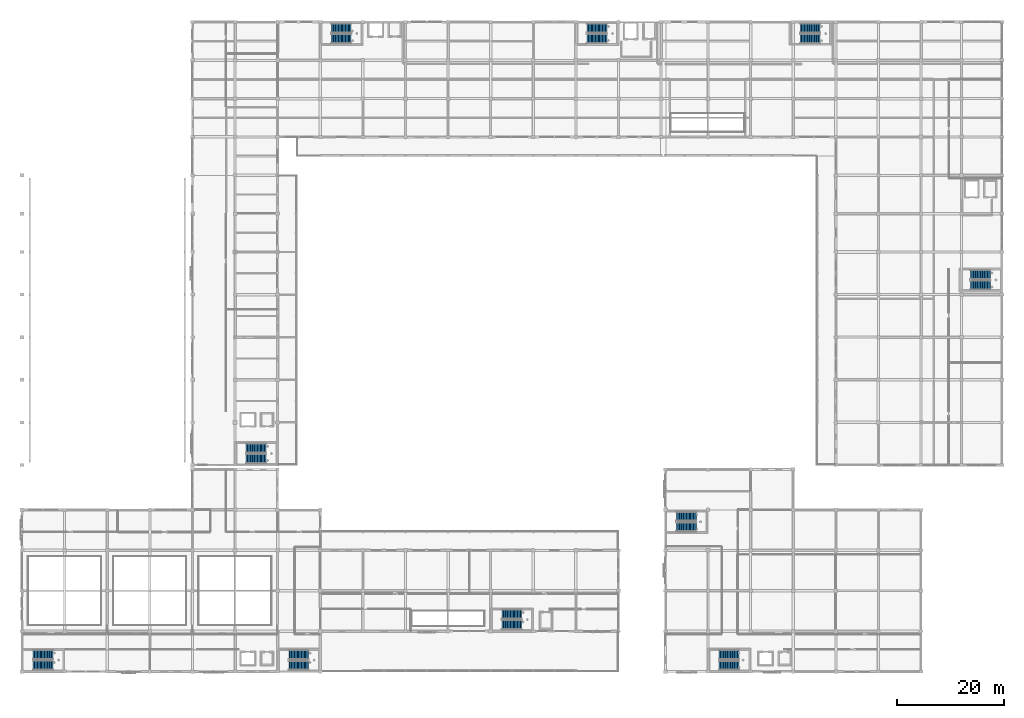
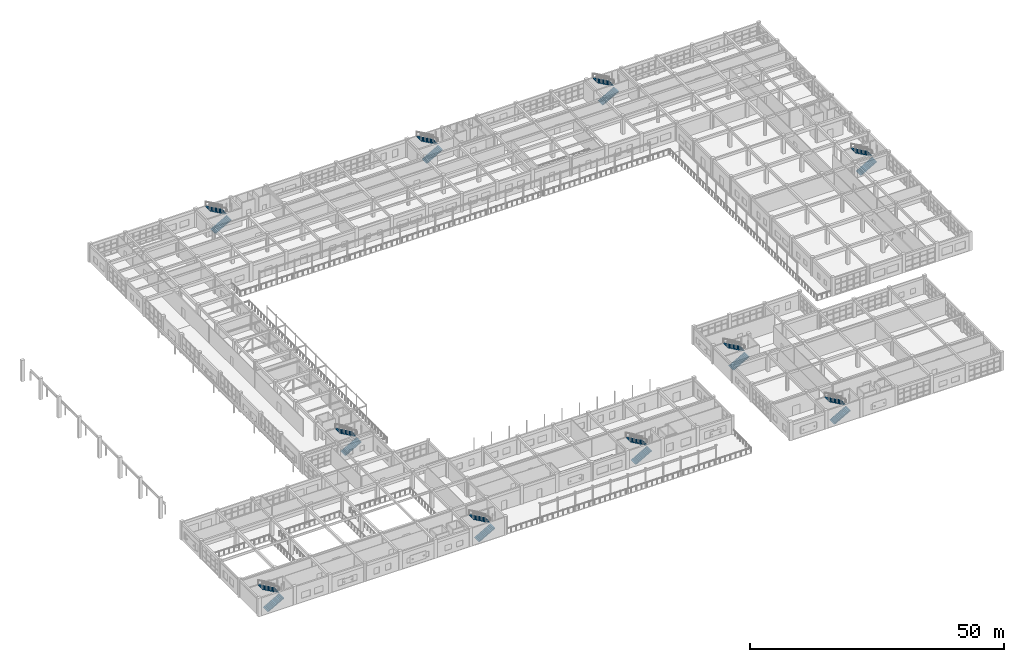
# One storey, part 138 of 160: 20 stair flights, 10 elements without a shape of their own.
"""IFC4 building model written with IfcOpenShell, lengths in metres."""

from ifc_helpers import new_model, si_unit, direction, frame, origin, place, context, subcontext, project, spatial, polyline, outline, extrude, material, type_object, element, aggregate, save


model = new_model("IFC4")

# Units and contexts
model_context = context("Model", 3, precision=1e-05, world=origin(), true_north=direction((0.0, 1.0)))
body_context = subcontext(model_context, "Body", "Model", "MODEL_VIEW")
ifc_project = project(units=[si_unit("LENGTHUNIT", "METRE"), si_unit("AREAUNIT", "SQUARE_METRE"), si_unit("VOLUMEUNIT", "CUBIC_METRE"), si_unit("PLANEANGLEUNIT", "RADIAN"), si_unit("MASSUNIT", "GRAM", prefix="KILO")], contexts=[model_context])

# Site, building, storey
site_placement = place(None, origin())
site = spatial("IfcSite", under=ifc_project, at=site_placement, CompositionType="ELEMENT")
building_placement = place(site_placement, origin())
building = spatial("IfcBuilding", under=site, at=building_placement, Name="Kharva Crest Polytechnic", CompositionType="ELEMENT")
storey_placement = place(building_placement, frame((0.0, 0.0, 4.5)))
storey = spatial("IfcBuildingStorey", under=building, at=storey_placement, Name="L01", CompositionType="ELEMENT", Elevation=4.5)

# Stair, stair flights
ifc_material = material(Name="Concrete C35/45", Category="concrete")
stair_type_1 = type_object("IfcStairType", Name="STR-DOGLEG-1780", PredefinedType="TWO_STRAIGHT_RUN_STAIR", material=ifc_material)
stair_1_placement = place(storey_placement, origin())
stair_1 = element("IfcStair", 1, at=stair_1_placement, inside=storey, type_object=stair_type_1, Name="L01 South-West Lecture Core C1", PredefinedType="TWO_STRAIGHT_RUN_STAIR")
stair_flight_type_1 = type_object("IfcStairFlightType", Name="STF-RC-1780", PredefinedType="STRAIGHT", material=ifc_material)
stair_flight_1_placement = place(storey_placement, frame((50.090087890625, 1.18994140625, 0.0), z_axis=(0.0, 0.0, 1.0), x_axis=(1.0, 0.0, 0.0)))
stair_flight_1 = element("IfcStairFlight", 2, at=stair_flight_1_placement, type_object=stair_flight_type_1, Name="ST-01 flight 1", NumberOfRisers=15, NumberOfTreads=14, PredefinedType="STRAIGHT", RiserHeight=0.15, TreadLength=0.265, context=body_context, shape_type="SweptSolid", body=[
    extrude(outline(polyline([(0.0, 0.0), (0.0, 0.14990234375), (0.264892578125, 0.14990234375), (0.264892578125, 0.300048828125), (0.530029296875, 0.300048828125), (0.530029296875, 0.449951171875), (0.794921875, 0.449951171875), (0.794921875, 0.60009765625), (1.06005859375, 0.60009765625), (1.06005859375, 0.75), (1.324951171875, 0.75), (1.324951171875, 0.89990234375), (1.590087890625, 0.89990234375), (1.590087890625, 1.050048828125), (1.85498046875, 1.050048828125), (1.85498046875, 1.199951171875), (2.1201171875, 1.199951171875), (2.1201171875, 1.35009765625), (2.385009765625, 1.35009765625), (2.385009765625, 1.5), (2.64990234375, 1.5), (2.64990234375, 1.64990234375), (2.9150390625, 1.64990234375), (2.9150390625, 1.800048828125), (3.179931640625, 1.800048828125), (3.179931640625, 1.949951171875), (3.445068359375, 1.949951171875), (3.445068359375, 2.10009765625), (3.7099609375, 2.10009765625), (3.7099609375, 2.25), (3.7099609375, 1.916259765625), (0.32470703125, 0.0), (0.0, 0.0)])), frame((0.0, 0.89013671875, 0.0), z_axis=(0.0, -1.0, 0.0), x_axis=(1.0, 0.0, 0.0)), (0.0, 0.0, 1.0), 1.780029296875),
])
stair_flight_2_placement = place(storey_placement, frame((53.800048828125, 3.169921875, 2.25), z_axis=(0.0, 0.0, 1.0), x_axis=(-1.0, 0.0, 0.0)))
stair_flight_2 = element("IfcStairFlight", 3, at=stair_flight_2_placement, type_object=stair_flight_type_1, Name="ST-01 flight 2", NumberOfRisers=15, NumberOfTreads=14, PredefinedType="STRAIGHT", RiserHeight=0.15, TreadLength=0.265, context=body_context, shape_type="SweptSolid", body=[
    extrude(outline(polyline([(0.0, 0.0), (0.0, 0.14990234375), (0.264892578125, 0.14990234375), (0.264892578125, 0.300048828125), (0.530029296875, 0.300048828125), (0.530029296875, 0.449951171875), (0.794921875, 0.449951171875), (0.794921875, 0.60009765625), (1.06005859375, 0.60009765625), (1.06005859375, 0.75), (1.324951171875, 0.75), (1.324951171875, 0.89990234375), (1.590087890625, 0.89990234375), (1.590087890625, 1.050048828125), (1.85498046875, 1.050048828125), (1.85498046875, 1.199951171875), (2.1201171875, 1.199951171875), (2.1201171875, 1.35009765625), (2.385009765625, 1.35009765625), (2.385009765625, 1.5), (2.64990234375, 1.5), (2.64990234375, 1.64990234375), (2.9150390625, 1.64990234375), (2.9150390625, 1.800048828125), (3.179931640625, 1.800048828125), (3.179931640625, 1.949951171875), (3.445068359375, 1.949951171875), (3.445068359375, 2.10009765625), (3.7099609375, 2.10009765625), (3.7099609375, 2.25), (3.7099609375, 1.916259765625), (0.32470703125, 0.0), (0.0, 0.0)])), frame((0.0, 0.89013671875, 0.0), z_axis=(0.0, -1.0, 0.0), x_axis=(1.0, 0.0, 0.0)), (0.0, 0.0, 1.0), 1.780029296875),
])
aggregate(stair_1, [stair_flight_1, stair_flight_2])

stair_2_placement = place(storey_placement, origin())
stair_2 = element("IfcStair", 4, at=stair_2_placement, inside=storey, type_object=stair_type_1, Name="L01 West Workshop Core C2", PredefinedType="TWO_STRAIGHT_RUN_STAIR")
stair_flight_3_placement = place(storey_placement, frame((42.090087890625, 39.989990234375, 0.0), z_axis=(0.0, 0.0, 1.0), x_axis=(1.0, 0.0, 0.0)))
stair_flight_3 = element("IfcStairFlight", 5, at=stair_flight_3_placement, type_object=stair_flight_type_1, Name="ST-02 flight 1", NumberOfRisers=15, NumberOfTreads=14, PredefinedType="STRAIGHT", RiserHeight=0.15, TreadLength=0.265, context=body_context, shape_type="SweptSolid", body=[
    extrude(outline(polyline([(0.0, 0.0), (0.0, 0.14990234375), (0.264892578125, 0.14990234375), (0.264892578125, 0.300048828125), (0.530029296875, 0.300048828125), (0.530029296875, 0.449951171875), (0.794921875, 0.449951171875), (0.794921875, 0.60009765625), (1.06005859375, 0.60009765625), (1.06005859375, 0.75), (1.324951171875, 0.75), (1.324951171875, 0.89990234375), (1.590087890625, 0.89990234375), (1.590087890625, 1.050048828125), (1.85498046875, 1.050048828125), (1.85498046875, 1.199951171875), (2.1201171875, 1.199951171875), (2.1201171875, 1.35009765625), (2.385009765625, 1.35009765625), (2.385009765625, 1.5), (2.64990234375, 1.5), (2.64990234375, 1.64990234375), (2.9150390625, 1.64990234375), (2.9150390625, 1.800048828125), (3.179931640625, 1.800048828125), (3.179931640625, 1.949951171875), (3.445068359375, 1.949951171875), (3.445068359375, 2.10009765625), (3.7099609375, 2.10009765625), (3.7099609375, 2.25), (3.7099609375, 1.916259765625), (0.32470703125, 0.0), (0.0, 0.0)])), frame((0.0, 0.89013671875, 0.0), z_axis=(0.0, -1.0, 0.0), x_axis=(1.0, 0.0, 0.0)), (0.0, 0.0, 1.0), 1.780029296875),
])
stair_flight_4_placement = place(storey_placement, frame((45.800048828125, 41.969970703125, 2.25), z_axis=(0.0, 0.0, 1.0), x_axis=(-1.0, 0.0, 0.0)))
stair_flight_4 = element("IfcStairFlight", 6, at=stair_flight_4_placement, type_object=stair_flight_type_1, Name="ST-02 flight 2", NumberOfRisers=15, NumberOfTreads=14, PredefinedType="STRAIGHT", RiserHeight=0.15, TreadLength=0.265, context=body_context, shape_type="SweptSolid", body=[
    extrude(outline(polyline([(0.0, 0.0), (0.0, 0.14990234375), (0.264892578125, 0.14990234375), (0.264892578125, 0.300048828125), (0.530029296875, 0.300048828125), (0.530029296875, 0.449951171875), (0.794921875, 0.449951171875), (0.794921875, 0.60009765625), (1.06005859375, 0.60009765625), (1.06005859375, 0.75), (1.324951171875, 0.75), (1.324951171875, 0.89990234375), (1.590087890625, 0.89990234375), (1.590087890625, 1.050048828125), (1.85498046875, 1.050048828125), (1.85498046875, 1.199951171875), (2.1201171875, 1.199951171875), (2.1201171875, 1.35009765625), (2.385009765625, 1.35009765625), (2.385009765625, 1.5), (2.64990234375, 1.5), (2.64990234375, 1.64990234375), (2.9150390625, 1.64990234375), (2.9150390625, 1.800048828125), (3.179931640625, 1.800048828125), (3.179931640625, 1.949951171875), (3.445068359375, 1.949951171875), (3.445068359375, 2.10009765625), (3.7099609375, 2.10009765625), (3.7099609375, 2.25), (3.7099609375, 1.916259765625), (0.32470703125, 0.0), (0.0, 0.0)])), frame((0.0, 0.89013671875, 0.0), z_axis=(0.0, -1.0, 0.0), x_axis=(1.0, 0.0, 0.0)), (0.0, 0.0, 1.0), 1.780029296875),
])
aggregate(stair_2, [stair_flight_3, stair_flight_4])

stair_3_placement = place(storey_placement, origin())
stair_3 = element("IfcStair", 7, at=stair_3_placement, inside=storey, type_object=stair_type_1, Name="L01 North-West Lab Core C3", PredefinedType="TWO_STRAIGHT_RUN_STAIR")
stair_flight_5_placement = place(storey_placement, frame((58.090087890625, 118.830078125, 0.0), z_axis=(0.0, 0.0, 1.0), x_axis=(1.0, 0.0, 0.0)))
stair_flight_5 = element("IfcStairFlight", 8, at=stair_flight_5_placement, type_object=stair_flight_type_1, Name="ST-03 flight 1", NumberOfRisers=15, NumberOfTreads=14, PredefinedType="STRAIGHT", RiserHeight=0.15, TreadLength=0.265, context=body_context, shape_type="SweptSolid", body=[
    extrude(outline(polyline([(0.0, 0.0), (0.0, 0.14990234375), (0.264892578125, 0.14990234375), (0.264892578125, 0.300048828125), (0.530029296875, 0.300048828125), (0.530029296875, 0.449951171875), (0.794921875, 0.449951171875), (0.794921875, 0.60009765625), (1.06005859375, 0.60009765625), (1.06005859375, 0.75), (1.324951171875, 0.75), (1.324951171875, 0.89990234375), (1.590087890625, 0.89990234375), (1.590087890625, 1.050048828125), (1.85498046875, 1.050048828125), (1.85498046875, 1.199951171875), (2.1201171875, 1.199951171875), (2.1201171875, 1.35009765625), (2.385009765625, 1.35009765625), (2.385009765625, 1.5), (2.64990234375, 1.5), (2.64990234375, 1.64990234375), (2.9150390625, 1.64990234375), (2.9150390625, 1.800048828125), (3.179931640625, 1.800048828125), (3.179931640625, 1.949951171875), (3.445068359375, 1.949951171875), (3.445068359375, 2.10009765625), (3.7099609375, 2.10009765625), (3.7099609375, 2.25), (3.7099609375, 1.916259765625), (0.32470703125, 0.0), (0.0, 0.0)])), frame((0.0, 0.89013671875, 0.0), z_axis=(0.0, -1.0, 0.0), x_axis=(1.0, 0.0, 0.0)), (0.0, 0.0, 1.0), 1.780029296875),
])
stair_flight_6_placement = place(storey_placement, frame((61.800048828125, 120.81005859375, 2.25), z_axis=(0.0, 0.0, 1.0), x_axis=(-1.0, 0.0, 0.0)))
stair_flight_6 = element("IfcStairFlight", 9, at=stair_flight_6_placement, type_object=stair_flight_type_1, Name="ST-03 flight 2", NumberOfRisers=15, NumberOfTreads=14, PredefinedType="STRAIGHT", RiserHeight=0.15, TreadLength=0.265, context=body_context, shape_type="SweptSolid", body=[
    extrude(outline(polyline([(0.0, 0.0), (0.0, 0.14990234375), (0.264892578125, 0.14990234375), (0.264892578125, 0.300048828125), (0.530029296875, 0.300048828125), (0.530029296875, 0.449951171875), (0.794921875, 0.449951171875), (0.794921875, 0.60009765625), (1.06005859375, 0.60009765625), (1.06005859375, 0.75), (1.324951171875, 0.75), (1.324951171875, 0.89990234375), (1.590087890625, 0.89990234375), (1.590087890625, 1.050048828125), (1.85498046875, 1.050048828125), (1.85498046875, 1.199951171875), (2.1201171875, 1.199951171875), (2.1201171875, 1.35009765625), (2.385009765625, 1.35009765625), (2.385009765625, 1.5), (2.64990234375, 1.5), (2.64990234375, 1.64990234375), (2.9150390625, 1.64990234375), (2.9150390625, 1.800048828125), (3.179931640625, 1.800048828125), (3.179931640625, 1.949951171875), (3.445068359375, 1.949951171875), (3.445068359375, 2.10009765625), (3.7099609375, 2.10009765625), (3.7099609375, 2.25), (3.7099609375, 1.916259765625), (0.32470703125, 0.0), (0.0, 0.0)])), frame((0.0, 0.89013671875, 0.0), z_axis=(0.0, -1.0, 0.0), x_axis=(1.0, 0.0, 0.0)), (0.0, 0.0, 1.0), 1.780029296875),
])
aggregate(stair_3, [stair_flight_5, stair_flight_6])

stair_4_placement = place(storey_placement, origin())
stair_4 = element("IfcStair", 10, at=stair_4_placement, inside=storey, type_object=stair_type_1, Name="L01 North Crest Firefighting Core C4", PredefinedType="TWO_STRAIGHT_RUN_STAIR")
stair_flight_7_placement = place(storey_placement, frame((106.090087890625, 118.830078125, 0.0), z_axis=(0.0, 0.0, 1.0), x_axis=(1.0, 0.0, 0.0)))
stair_flight_7 = element("IfcStairFlight", 11, at=stair_flight_7_placement, type_object=stair_flight_type_1, Name="ST-04 flight 1", NumberOfRisers=15, NumberOfTreads=14, PredefinedType="STRAIGHT", RiserHeight=0.15, TreadLength=0.265, context=body_context, shape_type="SweptSolid", body=[
    extrude(outline(polyline([(0.0, 0.0), (0.0, 0.14990234375), (0.264892578125, 0.14990234375), (0.264892578125, 0.300048828125), (0.530029296875, 0.300048828125), (0.530029296875, 0.449951171875), (0.794921875, 0.449951171875), (0.794921875, 0.60009765625), (1.06005859375, 0.60009765625), (1.06005859375, 0.75), (1.324951171875, 0.75), (1.324951171875, 0.89990234375), (1.590087890625, 0.89990234375), (1.590087890625, 1.050048828125), (1.85498046875, 1.050048828125), (1.85498046875, 1.199951171875), (2.1201171875, 1.199951171875), (2.1201171875, 1.35009765625), (2.385009765625, 1.35009765625), (2.385009765625, 1.5), (2.64990234375, 1.5), (2.64990234375, 1.64990234375), (2.9150390625, 1.64990234375), (2.9150390625, 1.800048828125), (3.179931640625, 1.800048828125), (3.179931640625, 1.949951171875), (3.445068359375, 1.949951171875), (3.445068359375, 2.10009765625), (3.7099609375, 2.10009765625), (3.7099609375, 2.25), (3.7099609375, 1.916259765625), (0.32470703125, 0.0), (0.0, 0.0)])), frame((0.0, 0.89013671875, 0.0), z_axis=(0.0, -1.0, 0.0), x_axis=(1.0, 0.0, 0.0)), (0.0, 0.0, 1.0), 1.780029296875),
])
stair_flight_8_placement = place(storey_placement, frame((109.800048828125, 120.81005859375, 2.25), z_axis=(0.0, 0.0, 1.0), x_axis=(-1.0, 0.0, 0.0)))
stair_flight_8 = element("IfcStairFlight", 12, at=stair_flight_8_placement, type_object=stair_flight_type_1, Name="ST-04 flight 2", NumberOfRisers=15, NumberOfTreads=14, PredefinedType="STRAIGHT", RiserHeight=0.15, TreadLength=0.265, context=body_context, shape_type="SweptSolid", body=[
    extrude(outline(polyline([(0.0, 0.0), (0.0, 0.14990234375), (0.264892578125, 0.14990234375), (0.264892578125, 0.300048828125), (0.530029296875, 0.300048828125), (0.530029296875, 0.449951171875), (0.794921875, 0.449951171875), (0.794921875, 0.60009765625), (1.06005859375, 0.60009765625), (1.06005859375, 0.75), (1.324951171875, 0.75), (1.324951171875, 0.89990234375), (1.590087890625, 0.89990234375), (1.590087890625, 1.050048828125), (1.85498046875, 1.050048828125), (1.85498046875, 1.199951171875), (2.1201171875, 1.199951171875), (2.1201171875, 1.35009765625), (2.385009765625, 1.35009765625), (2.385009765625, 1.5), (2.64990234375, 1.5), (2.64990234375, 1.64990234375), (2.9150390625, 1.64990234375), (2.9150390625, 1.800048828125), (3.179931640625, 1.800048828125), (3.179931640625, 1.949951171875), (3.445068359375, 1.949951171875), (3.445068359375, 2.10009765625), (3.7099609375, 2.10009765625), (3.7099609375, 2.25), (3.7099609375, 1.916259765625), (0.32470703125, 0.0), (0.0, 0.0)])), frame((0.0, 0.89013671875, 0.0), z_axis=(0.0, -1.0, 0.0), x_axis=(1.0, 0.0, 0.0)), (0.0, 0.0, 1.0), 1.780029296875),
])
aggregate(stair_4, [stair_flight_7, stair_flight_8])

stair_5_placement = place(storey_placement, origin())
stair_5 = element("IfcStair", 13, at=stair_5_placement, inside=storey, type_object=stair_type_1, Name="L01 East Crest Firefighting Core C5", PredefinedType="TWO_STRAIGHT_RUN_STAIR")
stair_flight_9_placement = place(storey_placement, frame((178.090087890625, 72.56005859375, 0.0), z_axis=(0.0, 0.0, 1.0), x_axis=(1.0, 0.0, 0.0)))
stair_flight_9 = element("IfcStairFlight", 14, at=stair_flight_9_placement, type_object=stair_flight_type_1, Name="ST-05 flight 1", NumberOfRisers=15, NumberOfTreads=14, PredefinedType="STRAIGHT", RiserHeight=0.15, TreadLength=0.265, context=body_context, shape_type="SweptSolid", body=[
    extrude(outline(polyline([(0.0, 0.0), (0.0, 0.14990234375), (0.264892578125, 0.14990234375), (0.264892578125, 0.300048828125), (0.530029296875, 0.300048828125), (0.530029296875, 0.449951171875), (0.794921875, 0.449951171875), (0.794921875, 0.60009765625), (1.06005859375, 0.60009765625), (1.06005859375, 0.75), (1.324951171875, 0.75), (1.324951171875, 0.89990234375), (1.590087890625, 0.89990234375), (1.590087890625, 1.050048828125), (1.85498046875, 1.050048828125), (1.85498046875, 1.199951171875), (2.1201171875, 1.199951171875), (2.1201171875, 1.35009765625), (2.385009765625, 1.35009765625), (2.385009765625, 1.5), (2.64990234375, 1.5), (2.64990234375, 1.64990234375), (2.9150390625, 1.64990234375), (2.9150390625, 1.800048828125), (3.179931640625, 1.800048828125), (3.179931640625, 1.949951171875), (3.445068359375, 1.949951171875), (3.445068359375, 2.10009765625), (3.7099609375, 2.10009765625), (3.7099609375, 2.25), (3.7099609375, 1.916259765625), (0.32470703125, 0.0), (0.0, 0.0)])), frame((0.0, 0.89013671875, 0.0), z_axis=(0.0, -1.0, 0.0), x_axis=(1.0, 0.0, 0.0)), (0.0, 0.0, 1.0), 1.780029296875),
])
stair_flight_10_placement = place(storey_placement, frame((181.800048828125, 74.5400390625, 2.25), z_axis=(0.0, 0.0, 1.0), x_axis=(-1.0, 0.0, 0.0)))
stair_flight_10 = element("IfcStairFlight", 15, at=stair_flight_10_placement, type_object=stair_flight_type_1, Name="ST-05 flight 2", NumberOfRisers=15, NumberOfTreads=14, PredefinedType="STRAIGHT", RiserHeight=0.15, TreadLength=0.265, context=body_context, shape_type="SweptSolid", body=[
    extrude(outline(polyline([(0.0, 0.0), (0.0, 0.14990234375), (0.264892578125, 0.14990234375), (0.264892578125, 0.300048828125), (0.530029296875, 0.300048828125), (0.530029296875, 0.449951171875), (0.794921875, 0.449951171875), (0.794921875, 0.60009765625), (1.06005859375, 0.60009765625), (1.06005859375, 0.75), (1.324951171875, 0.75), (1.324951171875, 0.89990234375), (1.590087890625, 0.89990234375), (1.590087890625, 1.050048828125), (1.85498046875, 1.050048828125), (1.85498046875, 1.199951171875), (2.1201171875, 1.199951171875), (2.1201171875, 1.35009765625), (2.385009765625, 1.35009765625), (2.385009765625, 1.5), (2.64990234375, 1.5), (2.64990234375, 1.64990234375), (2.9150390625, 1.64990234375), (2.9150390625, 1.800048828125), (3.179931640625, 1.800048828125), (3.179931640625, 1.949951171875), (3.445068359375, 1.949951171875), (3.445068359375, 2.10009765625), (3.7099609375, 2.10009765625), (3.7099609375, 2.25), (3.7099609375, 1.916259765625), (0.32470703125, 0.0), (0.0, 0.0)])), frame((0.0, 0.89013671875, 0.0), z_axis=(0.0, -1.0, 0.0), x_axis=(1.0, 0.0, 0.0)), (0.0, 0.0, 1.0), 1.780029296875),
])
aggregate(stair_5, [stair_flight_9, stair_flight_10])

stair_6_placement = place(storey_placement, origin())
stair_6 = element("IfcStair", 16, at=stair_6_placement, inside=storey, type_object=stair_type_1, Name="L01 South-East Refectory Escarpment Core C6", PredefinedType="TWO_STRAIGHT_RUN_STAIR")
stair_flight_11_placement = place(storey_placement, frame((130.889892578125, 1.18994140625, 0.0), z_axis=(0.0, 0.0, 1.0), x_axis=(1.0, 0.0, 0.0)))
stair_flight_11 = element("IfcStairFlight", 17, at=stair_flight_11_placement, type_object=stair_flight_type_1, Name="ST-06 flight 1", NumberOfRisers=15, NumberOfTreads=14, PredefinedType="STRAIGHT", RiserHeight=0.15, TreadLength=0.265, context=body_context, shape_type="SweptSolid", body=[
    extrude(outline(polyline([(0.0, 0.0), (0.0, 0.14990234375), (0.264892578125, 0.14990234375), (0.264892578125, 0.300048828125), (0.530029296875, 0.300048828125), (0.530029296875, 0.449951171875), (0.794921875, 0.449951171875), (0.794921875, 0.60009765625), (1.06005859375, 0.60009765625), (1.06005859375, 0.75), (1.324951171875, 0.75), (1.324951171875, 0.89990234375), (1.590087890625, 0.89990234375), (1.590087890625, 1.050048828125), (1.85498046875, 1.050048828125), (1.85498046875, 1.199951171875), (2.1201171875, 1.199951171875), (2.1201171875, 1.35009765625), (2.385009765625, 1.35009765625), (2.385009765625, 1.5), (2.64990234375, 1.5), (2.64990234375, 1.64990234375), (2.9150390625, 1.64990234375), (2.9150390625, 1.800048828125), (3.179931640625, 1.800048828125), (3.179931640625, 1.949951171875), (3.445068359375, 1.949951171875), (3.445068359375, 2.10009765625), (3.7099609375, 2.10009765625), (3.7099609375, 2.25), (3.7099609375, 1.916259765625), (0.32470703125, 0.0), (0.0, 0.0)])), frame((0.0, 0.89013671875, 0.0), z_axis=(0.0, -1.0, 0.0), x_axis=(1.0, 0.0, 0.0)), (0.0, 0.0, 1.0), 1.780029296875),
])
stair_flight_12_placement = place(storey_placement, frame((134.60009765625, 3.169921875, 2.25), z_axis=(0.0, 0.0, 1.0), x_axis=(-1.0, 0.0, 0.0)))
stair_flight_12 = element("IfcStairFlight", 18, at=stair_flight_12_placement, type_object=stair_flight_type_1, Name="ST-06 flight 2", NumberOfRisers=15, NumberOfTreads=14, PredefinedType="STRAIGHT", RiserHeight=0.15, TreadLength=0.265, context=body_context, shape_type="SweptSolid", body=[
    extrude(outline(polyline([(0.0, 0.0), (0.0, 0.14990234375), (0.264892578125, 0.14990234375), (0.264892578125, 0.300048828125), (0.530029296875, 0.300048828125), (0.530029296875, 0.449951171875), (0.794921875, 0.449951171875), (0.794921875, 0.60009765625), (1.06005859375, 0.60009765625), (1.06005859375, 0.75), (1.324951171875, 0.75), (1.324951171875, 0.89990234375), (1.590087890625, 0.89990234375), (1.590087890625, 1.050048828125), (1.85498046875, 1.050048828125), (1.85498046875, 1.199951171875), (2.1201171875, 1.199951171875), (2.1201171875, 1.35009765625), (2.385009765625, 1.35009765625), (2.385009765625, 1.5), (2.64990234375, 1.5), (2.64990234375, 1.64990234375), (2.9150390625, 1.64990234375), (2.9150390625, 1.800048828125), (3.179931640625, 1.800048828125), (3.179931640625, 1.949951171875), (3.445068359375, 1.949951171875), (3.445068359375, 2.10009765625), (3.7099609375, 2.10009765625), (3.7099609375, 2.25), (3.7099609375, 1.916259765625), (0.32470703125, 0.0), (0.0, 0.0)])), frame((0.0, 0.89013671875, 0.0), z_axis=(0.0, -1.0, 0.0), x_axis=(1.0, 0.0, 0.0)), (0.0, 0.0, 1.0), 1.780029296875),
])
aggregate(stair_6, [stair_flight_11, stair_flight_12])

stair_type_2 = type_object("IfcStairType", Name="STR-DOGLEG-1790", PredefinedType="TWO_STRAIGHT_RUN_STAIR", material=ifc_material)
stair_7_placement = place(storey_placement, origin())
stair_7 = element("IfcStair", 19, at=stair_7_placement, inside=storey, type_object=stair_type_2, Name="L01 South-East Escarpment Secondary Stair C7", PredefinedType="TWO_STRAIGHT_RUN_STAIR")
stair_flight_type_2 = type_object("IfcStairFlightType", Name="STF-RC-1790", PredefinedType="STRAIGHT", material=ifc_material)
stair_flight_13_placement = place(storey_placement, frame((122.89990234375, 27.18505859375, 0.0), z_axis=(0.0, 0.0, 1.0), x_axis=(1.0, 0.0, 0.0)))
stair_flight_13 = element("IfcStairFlight", 20, at=stair_flight_13_placement, type_object=stair_flight_type_2, Name="ST-07 flight 1", NumberOfRisers=15, NumberOfTreads=14, PredefinedType="STRAIGHT", RiserHeight=0.15, TreadLength=0.265, context=body_context, shape_type="SweptSolid", body=[
    extrude(outline(polyline([(0.0, 0.0), (0.0, 0.14990234375), (0.264892578125, 0.14990234375), (0.264892578125, 0.300048828125), (0.530029296875, 0.300048828125), (0.530029296875, 0.449951171875), (0.794921875, 0.449951171875), (0.794921875, 0.60009765625), (1.06005859375, 0.60009765625), (1.06005859375, 0.75), (1.324951171875, 0.75), (1.324951171875, 0.89990234375), (1.590087890625, 0.89990234375), (1.590087890625, 1.050048828125), (1.85498046875, 1.050048828125), (1.85498046875, 1.199951171875), (2.1201171875, 1.199951171875), (2.1201171875, 1.35009765625), (2.385009765625, 1.35009765625), (2.385009765625, 1.5), (2.64990234375, 1.5), (2.64990234375, 1.64990234375), (2.9150390625, 1.64990234375), (2.9150390625, 1.800048828125), (3.179931640625, 1.800048828125), (3.179931640625, 1.949951171875), (3.445068359375, 1.949951171875), (3.445068359375, 2.10009765625), (3.7099609375, 2.10009765625), (3.7099609375, 2.25), (3.7099609375, 1.916259765625), (0.32470703125, 0.0), (0.0, 0.0)])), frame((0.0, 0.89501953125, 0.0), z_axis=(0.0, -1.0, 0.0), x_axis=(1.0, 0.0, 0.0)), (0.0, 0.0, 1.0), 1.7900390625),
])
stair_flight_14_placement = place(storey_placement, frame((126.610107421875, 29.155029296875, 2.25), z_axis=(0.0, 0.0, 1.0), x_axis=(-1.0, 0.0, 0.0)))
stair_flight_14 = element("IfcStairFlight", 21, at=stair_flight_14_placement, type_object=stair_flight_type_2, Name="ST-07 flight 2", NumberOfRisers=15, NumberOfTreads=14, PredefinedType="STRAIGHT", RiserHeight=0.15, TreadLength=0.265, context=body_context, shape_type="SweptSolid", body=[
    extrude(outline(polyline([(0.0, 0.0), (0.0, 0.14990234375), (0.264892578125, 0.14990234375), (0.264892578125, 0.300048828125), (0.530029296875, 0.300048828125), (0.530029296875, 0.449951171875), (0.794921875, 0.449951171875), (0.794921875, 0.60009765625), (1.06005859375, 0.60009765625), (1.06005859375, 0.75), (1.324951171875, 0.75), (1.324951171875, 0.89990234375), (1.590087890625, 0.89990234375), (1.590087890625, 1.050048828125), (1.85498046875, 1.050048828125), (1.85498046875, 1.199951171875), (2.1201171875, 1.199951171875), (2.1201171875, 1.35009765625), (2.385009765625, 1.35009765625), (2.385009765625, 1.5), (2.64990234375, 1.5), (2.64990234375, 1.64990234375), (2.9150390625, 1.64990234375), (2.9150390625, 1.800048828125), (3.179931640625, 1.800048828125), (3.179931640625, 1.949951171875), (3.445068359375, 1.949951171875), (3.445068359375, 2.10009765625), (3.7099609375, 2.10009765625), (3.7099609375, 2.25), (3.7099609375, 1.916259765625), (0.32470703125, 0.0), (0.0, 0.0)])), frame((0.0, 0.89501953125, 0.0), z_axis=(0.0, -1.0, 0.0), x_axis=(1.0, 0.0, 0.0)), (0.0, 0.0, 1.0), 1.7900390625),
])
aggregate(stair_7, [stair_flight_13, stair_flight_14])

stair_type_3 = type_object("IfcStairType", Name="STR-DOGLEG-1800", PredefinedType="TWO_STRAIGHT_RUN_STAIR", material=ifc_material)
stair_8_placement = place(storey_placement, origin())
stair_8 = element("IfcStair", 22, at=stair_8_placement, inside=storey, type_object=stair_type_3, Name="L01 West Lecture Wing Stair C10", PredefinedType="TWO_STRAIGHT_RUN_STAIR")
stair_flight_type_3 = type_object("IfcStairFlightType", Name="STF-RC-1800", PredefinedType="STRAIGHT", material=ifc_material)
stair_flight_15_placement = place(storey_placement, frame((2.110107421875, 1.199951171875, 0.0), z_axis=(0.0, 0.0, 1.0), x_axis=(1.0, 0.0, 0.0)))
stair_flight_15 = element("IfcStairFlight", 23, at=stair_flight_15_placement, type_object=stair_flight_type_3, Name="ST-10 flight 1", NumberOfRisers=15, NumberOfTreads=14, PredefinedType="STRAIGHT", RiserHeight=0.15, TreadLength=0.265, context=body_context, shape_type="SweptSolid", body=[
    extrude(outline(polyline([(0.0, 0.0), (0.0, 0.14990234375), (0.264892578125, 0.14990234375), (0.264892578125, 0.300048828125), (0.530029296875, 0.300048828125), (0.530029296875, 0.449951171875), (0.794921875, 0.449951171875), (0.794921875, 0.60009765625), (1.06005859375, 0.60009765625), (1.06005859375, 0.75), (1.324951171875, 0.75), (1.324951171875, 0.89990234375), (1.590087890625, 0.89990234375), (1.590087890625, 1.050048828125), (1.85498046875, 1.050048828125), (1.85498046875, 1.199951171875), (2.1201171875, 1.199951171875), (2.1201171875, 1.35009765625), (2.385009765625, 1.35009765625), (2.385009765625, 1.5), (2.64990234375, 1.5), (2.64990234375, 1.64990234375), (2.9150390625, 1.64990234375), (2.9150390625, 1.800048828125), (3.179931640625, 1.800048828125), (3.179931640625, 1.949951171875), (3.445068359375, 1.949951171875), (3.445068359375, 2.10009765625), (3.7099609375, 2.10009765625), (3.7099609375, 2.25), (3.7099609375, 1.916259765625), (0.32470703125, 0.0), (0.0, 0.0)])), frame((0.0, 0.89990234375, 0.0), z_axis=(0.0, -1.0, 0.0), x_axis=(1.0, 0.0, 0.0)), (0.0, 0.0, 1.0), 1.800048828125),
])
stair_flight_16_placement = place(storey_placement, frame((5.820068359375, 3.159912109375, 2.25), z_axis=(0.0, 0.0, 1.0), x_axis=(-1.0, 0.0, 0.0)))
stair_flight_16 = element("IfcStairFlight", 24, at=stair_flight_16_placement, type_object=stair_flight_type_3, Name="ST-10 flight 2", NumberOfRisers=15, NumberOfTreads=14, PredefinedType="STRAIGHT", RiserHeight=0.15, TreadLength=0.265, context=body_context, shape_type="SweptSolid", body=[
    extrude(outline(polyline([(0.0, 0.0), (0.0, 0.14990234375), (0.264892578125, 0.14990234375), (0.264892578125, 0.300048828125), (0.530029296875, 0.300048828125), (0.530029296875, 0.449951171875), (0.794921875, 0.449951171875), (0.794921875, 0.60009765625), (1.06005859375, 0.60009765625), (1.06005859375, 0.75), (1.324951171875, 0.75), (1.324951171875, 0.89990234375), (1.590087890625, 0.89990234375), (1.590087890625, 1.050048828125), (1.85498046875, 1.050048828125), (1.85498046875, 1.199951171875), (2.1201171875, 1.199951171875), (2.1201171875, 1.35009765625), (2.385009765625, 1.35009765625), (2.385009765625, 1.5), (2.64990234375, 1.5), (2.64990234375, 1.64990234375), (2.9150390625, 1.64990234375), (2.9150390625, 1.800048828125), (3.179931640625, 1.800048828125), (3.179931640625, 1.949951171875), (3.445068359375, 1.949951171875), (3.445068359375, 2.10009765625), (3.7099609375, 2.10009765625), (3.7099609375, 2.25), (3.7099609375, 1.916259765625), (0.32470703125, 0.0), (0.0, 0.0)])), frame((0.0, 0.89990234375, 0.0), z_axis=(0.0, -1.0, 0.0), x_axis=(1.0, 0.0, 0.0)), (0.0, 0.0, 1.0), 1.800048828125),
])
aggregate(stair_8, [stair_flight_15, stair_flight_16])

stair_type_4 = type_object("IfcStairType", Name="STR-DOGLEG-1810", PredefinedType="TWO_STRAIGHT_RUN_STAIR", material=ifc_material)
stair_9_placement = place(storey_placement, origin())
stair_9 = element("IfcStair", 25, at=stair_9_placement, inside=storey, type_object=stair_type_4, Name="L01 South Entrance Wing Stair C8", PredefinedType="TWO_STRAIGHT_RUN_STAIR")
stair_flight_type_4 = type_object("IfcStairFlightType", Name="STF-RC-1810", PredefinedType="STRAIGHT", material=ifc_material)
stair_flight_17_placement = place(storey_placement, frame((90.1201171875, 8.804931640625, 0.0), z_axis=(0.0, 0.0, 1.0), x_axis=(1.0, 0.0, 0.0)))
stair_flight_17 = element("IfcStairFlight", 26, at=stair_flight_17_placement, type_object=stair_flight_type_4, Name="ST-08 flight 1", NumberOfRisers=15, NumberOfTreads=14, PredefinedType="STRAIGHT", RiserHeight=0.15, TreadLength=0.265, context=body_context, shape_type="SweptSolid", body=[
    extrude(outline(polyline([(0.0, 0.0), (0.0, 0.14990234375), (0.264892578125, 0.14990234375), (0.264892578125, 0.300048828125), (0.530029296875, 0.300048828125), (0.530029296875, 0.449951171875), (0.794921875, 0.449951171875), (0.794921875, 0.60009765625), (1.06005859375, 0.60009765625), (1.06005859375, 0.75), (1.324951171875, 0.75), (1.324951171875, 0.89990234375), (1.590087890625, 0.89990234375), (1.590087890625, 1.050048828125), (1.85498046875, 1.050048828125), (1.85498046875, 1.199951171875), (2.1201171875, 1.199951171875), (2.1201171875, 1.35009765625), (2.385009765625, 1.35009765625), (2.385009765625, 1.5), (2.64990234375, 1.5), (2.64990234375, 1.64990234375), (2.9150390625, 1.64990234375), (2.9150390625, 1.800048828125), (3.179931640625, 1.800048828125), (3.179931640625, 1.949951171875), (3.445068359375, 1.949951171875), (3.445068359375, 2.10009765625), (3.7099609375, 2.10009765625), (3.7099609375, 2.25), (3.7099609375, 1.916259765625), (0.32470703125, 0.0), (0.0, 0.0)])), frame((0.0, 0.905029296875, 0.0), z_axis=(0.0, -1.0, 0.0), x_axis=(1.0, 0.0, 0.0)), (0.0, 0.0, 1.0), 1.81005859375),
])
stair_flight_18_placement = place(storey_placement, frame((93.830078125, 10.7548828125, 2.25), z_axis=(0.0, 0.0, 1.0), x_axis=(-1.0, 0.0, 0.0)))
stair_flight_18 = element("IfcStairFlight", 27, at=stair_flight_18_placement, type_object=stair_flight_type_4, Name="ST-08 flight 2", NumberOfRisers=15, NumberOfTreads=14, PredefinedType="STRAIGHT", RiserHeight=0.15, TreadLength=0.265, context=body_context, shape_type="SweptSolid", body=[
    extrude(outline(polyline([(0.0, 0.0), (0.0, 0.14990234375), (0.264892578125, 0.14990234375), (0.264892578125, 0.300048828125), (0.530029296875, 0.300048828125), (0.530029296875, 0.449951171875), (0.794921875, 0.449951171875), (0.794921875, 0.60009765625), (1.06005859375, 0.60009765625), (1.06005859375, 0.75), (1.324951171875, 0.75), (1.324951171875, 0.89990234375), (1.590087890625, 0.89990234375), (1.590087890625, 1.050048828125), (1.85498046875, 1.050048828125), (1.85498046875, 1.199951171875), (2.1201171875, 1.199951171875), (2.1201171875, 1.35009765625), (2.385009765625, 1.35009765625), (2.385009765625, 1.5), (2.64990234375, 1.5), (2.64990234375, 1.64990234375), (2.9150390625, 1.64990234375), (2.9150390625, 1.800048828125), (3.179931640625, 1.800048828125), (3.179931640625, 1.949951171875), (3.445068359375, 1.949951171875), (3.445068359375, 2.10009765625), (3.7099609375, 2.10009765625), (3.7099609375, 2.25), (3.7099609375, 1.916259765625), (0.32470703125, 0.0), (0.0, 0.0)])), frame((0.0, 0.905029296875, 0.0), z_axis=(0.0, -1.0, 0.0), x_axis=(1.0, 0.0, 0.0)), (0.0, 0.0, 1.0), 1.81005859375),
])
aggregate(stair_9, [stair_flight_17, stair_flight_18])

stair_type_5 = type_object("IfcStairType", Name="STR-DOGLEG-1820", PredefinedType="TWO_STRAIGHT_RUN_STAIR", material=ifc_material)
stair_10_placement = place(storey_placement, origin())
stair_10 = element("IfcStair", 28, at=stair_10_placement, inside=storey, type_object=stair_type_5, Name="L01 North-East Library Wing Stair C9", PredefinedType="TWO_STRAIGHT_RUN_STAIR")
stair_flight_type_5 = type_object("IfcStairFlightType", Name="STF-RC-1820", PredefinedType="STRAIGHT", material=ifc_material)
stair_flight_19_placement = place(storey_placement, frame((146.1298828125, 118.85009765625, 0.0), z_axis=(0.0, 0.0, 1.0), x_axis=(1.0, 0.0, 0.0)))
stair_flight_19 = element("IfcStairFlight", 29, at=stair_flight_19_placement, type_object=stair_flight_type_5, Name="ST-09 flight 1", NumberOfRisers=15, NumberOfTreads=14, PredefinedType="STRAIGHT", RiserHeight=0.15, TreadLength=0.265, context=body_context, shape_type="SweptSolid", body=[
    extrude(outline(polyline([(0.0, 0.0), (0.0, 0.14990234375), (0.264892578125, 0.14990234375), (0.264892578125, 0.300048828125), (0.530029296875, 0.300048828125), (0.530029296875, 0.449951171875), (0.794921875, 0.449951171875), (0.794921875, 0.60009765625), (1.06005859375, 0.60009765625), (1.06005859375, 0.75), (1.324951171875, 0.75), (1.324951171875, 0.89990234375), (1.590087890625, 0.89990234375), (1.590087890625, 1.050048828125), (1.85498046875, 1.050048828125), (1.85498046875, 1.199951171875), (2.1201171875, 1.199951171875), (2.1201171875, 1.35009765625), (2.385009765625, 1.35009765625), (2.385009765625, 1.5), (2.64990234375, 1.5), (2.64990234375, 1.64990234375), (2.9150390625, 1.64990234375), (2.9150390625, 1.800048828125), (3.179931640625, 1.800048828125), (3.179931640625, 1.949951171875), (3.445068359375, 1.949951171875), (3.445068359375, 2.10009765625), (3.7099609375, 2.10009765625), (3.7099609375, 2.25), (3.7099609375, 1.916259765625), (0.32470703125, 0.0), (0.0, 0.0)])), frame((0.0, 0.91015625, 0.0), z_axis=(0.0, -1.0, 0.0), x_axis=(1.0, 0.0, 0.0)), (0.0, 0.0, 1.0), 1.820068359375),
])
stair_flight_20_placement = place(storey_placement, frame((149.840087890625, 120.7900390625, 2.25), z_axis=(0.0, 0.0, 1.0), x_axis=(-1.0, 0.0, 0.0)))
stair_flight_20 = element("IfcStairFlight", 30, at=stair_flight_20_placement, type_object=stair_flight_type_5, Name="ST-09 flight 2", NumberOfRisers=15, NumberOfTreads=14, PredefinedType="STRAIGHT", RiserHeight=0.15, TreadLength=0.265, context=body_context, shape_type="SweptSolid", body=[
    extrude(outline(polyline([(0.0, 0.0), (0.0, 0.14990234375), (0.264892578125, 0.14990234375), (0.264892578125, 0.300048828125), (0.530029296875, 0.300048828125), (0.530029296875, 0.449951171875), (0.794921875, 0.449951171875), (0.794921875, 0.60009765625), (1.06005859375, 0.60009765625), (1.06005859375, 0.75), (1.324951171875, 0.75), (1.324951171875, 0.89990234375), (1.590087890625, 0.89990234375), (1.590087890625, 1.050048828125), (1.85498046875, 1.050048828125), (1.85498046875, 1.199951171875), (2.1201171875, 1.199951171875), (2.1201171875, 1.35009765625), (2.385009765625, 1.35009765625), (2.385009765625, 1.5), (2.64990234375, 1.5), (2.64990234375, 1.64990234375), (2.9150390625, 1.64990234375), (2.9150390625, 1.800048828125), (3.179931640625, 1.800048828125), (3.179931640625, 1.949951171875), (3.445068359375, 1.949951171875), (3.445068359375, 2.10009765625), (3.7099609375, 2.10009765625), (3.7099609375, 2.25), (3.7099609375, 1.916259765625), (0.32470703125, 0.0), (0.0, 0.0)])), frame((0.0, 0.91015625, 0.0), z_axis=(0.0, -1.0, 0.0), x_axis=(1.0, 0.0, 0.0)), (0.0, 0.0, 1.0), 1.820068359375),
])
aggregate(stair_10, [stair_flight_19, stair_flight_20])

save(model, "model.ifc")
